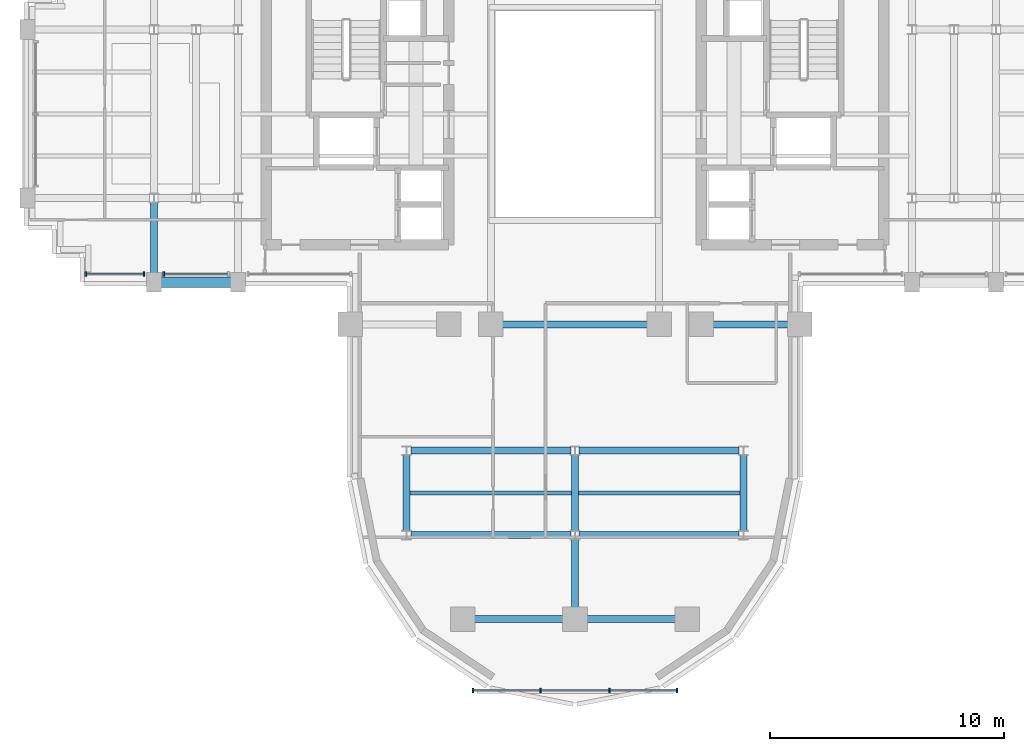
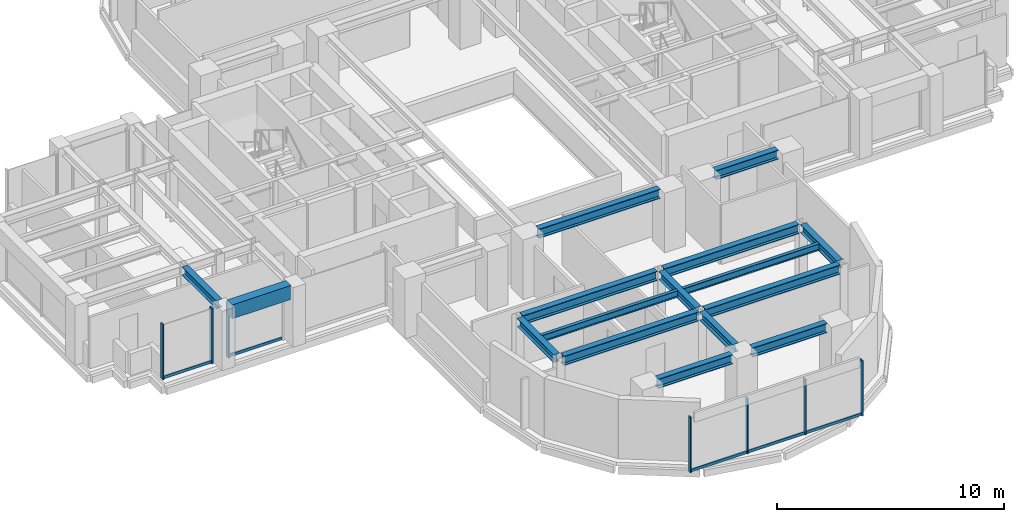
# One storey, part 3 of 14: 16 beams, 12 members, 3 elements without a shape of their own.
"""IFC4 building model written with IfcOpenShell, lengths in metres."""

from ifc_helpers import new_model, si_unit, direction, frame, origin, origin_2d, place, context, subcontext, project, spatial, rectangle, i_section, extrude, source, transform, mapped, material, material_profile, profile_set, type_object, element, aggregate, save


model = new_model("IFC4")

# Units and contexts
model_context = context("Model", 3, precision=1e-05, world=origin(), true_north=direction((0.0, 1.0)))
body_context = subcontext(model_context, "Body", "Model", "MODEL_VIEW")
ifc_project = project(units=[si_unit("LENGTHUNIT", "METRE"), si_unit("AREAUNIT", "SQUARE_METRE"), si_unit("VOLUMEUNIT", "CUBIC_METRE"), si_unit("PLANEANGLEUNIT", "RADIAN"), si_unit("MASSUNIT", "GRAM", prefix="KILO")], contexts=[model_context])

# Site, building, storey
site_placement = place(None, origin())
site = spatial("IfcSite", under=ifc_project, at=site_placement, CompositionType="ELEMENT")
building_placement = place(site_placement, origin())
building = spatial("IfcBuilding", under=site, at=building_placement, Name="Keilestroom Media Tower", CompositionType="ELEMENT")
storey_placement = place(building_placement, frame((0.0, 0.0, 110.800048828125)))
storey = spatial("IfcBuildingStorey", under=building, at=storey_placement, Name="L29", CompositionType="ELEMENT", Elevation=110.800048828125)

# Beams
ifc_material_1 = material(Name="Steel S355", Category="steel")
ifc_material_profile_1 = material_profile(ifc_material_1, i_section(OverallWidth=0.169921875, OverallDepth=0.360107421875, WebThickness=0.008056640625, FlangeThickness=0.0126953125, at=origin_2d()), Name="IPE 360")
ifc_profile_set_1 = profile_set([ifc_material_profile_1], Name="Steel S355")
beam_type_1 = type_object("IfcBeamType", Name="Secondary-Floor-Joist-IPE-360", PredefinedType="JOIST", material=ifc_profile_set_1)
shared_shape_1 = source(origin(), body_context, "Body", "SweptSolid", [
    extrude(i_section(OverallWidth=0.169921875, OverallDepth=0.360107421875, WebThickness=0.008056640625, FlangeThickness=0.0126953125, at=origin_2d()), origin(), (0.0, 0.0, 1.0), 6.940185546875),
])
for number, where, z_axis, x_axis, name in (
    (1, (-7.070068359375, -16.199951171875, 3.02001953125), (1.0, 0.0, 0.0), (0.0, 1.0, 0.0), "L29 Beam BJ-5 JST-L29-069"),
    (2, (0.1298828125, -16.199951171875, 3.02001953125), (1.0, 0.0, 0.0), (0.0, 1.0, 0.0), "L29 Beam BJ-5 JST-L29-070"),
):
    element("IfcBeam", number, at=place(storey_placement, frame(where, z_axis=z_axis, x_axis=x_axis)), inside=storey, type_object=beam_type_1, Name=name, PredefinedType="JOIST", context=body_context, shape_type="MappedRepresentation", body=[
        mapped(shared_shape_1, transform((0.0, 0.0, 0.0), x_axis=(1.0, 0.0, 0.0), y_axis=(0.0, 1.0, 0.0), z_axis=(0.0, 0.0, 1.0), scale=1.0)),
    ])
ifc_material_profile_2 = material_profile(ifc_material_1, i_section(OverallWidth=0.300048828125, OverallDepth=0.5, WebThickness=0.012451171875, FlangeThickness=0.028076171875, at=origin_2d()), Name="HEB 500")
ifc_profile_set_2 = profile_set([ifc_material_profile_2], Name="Steel S355")
beam_type_2 = type_object("IfcBeamType", Name="Primary-Structural-Girder-HEB-500", PredefinedType="BEAM", material=ifc_profile_set_2)
shared_shape_2 = source(origin(), body_context, "Body", "SweptSolid", [
    extrude(i_section(OverallWidth=0.300048828125, OverallDepth=0.5, WebThickness=0.012451171875, FlangeThickness=0.028076171875, at=origin_2d()), origin(), (0.0, 0.0, 1.0), 3.7900390625),
])
for number, where, z_axis, x_axis, name in (
    (3, (-4.294921875, -21.60009765625, 2.949951171875), (1.0, 0.0, 0.0), (0.0, 1.0, 0.0), "L29 Beam BG-6 BM-L29-EW-001"),
    (4, (0.5048828125, -21.60009765625, 2.949951171875), (1.0, 0.0, 0.0), (0.0, 1.0, 0.0), "L29 Beam BG-6 BM-L29-EW-002"),
):
    element("IfcBeam", number, at=place(storey_placement, frame(where, z_axis=z_axis, x_axis=x_axis)), inside=storey, type_object=beam_type_2, Name=name, PredefinedType="BEAM", context=body_context, shape_type="MappedRepresentation", body=[
        mapped(shared_shape_2, transform((0.0, 0.0, 0.0), x_axis=(1.0, 0.0, 0.0), y_axis=(0.0, 1.0, 0.0), z_axis=(0.0, 0.0, 1.0), scale=1.0)),
    ])
shared_shape_3 = source(origin(), body_context, "Body", "SweptSolid", [
    extrude(i_section(OverallWidth=0.300048828125, OverallDepth=0.5, WebThickness=0.012451171875, FlangeThickness=0.028076171875, at=origin_2d()), origin(), (0.0, 0.0, 1.0), 6.839111328125),
])
for number, where, z_axis, x_axis, name in (
    (5, (-7.01953125, -18.0, 2.949951171875), (1.0, 0.0, 0.0), (0.0, 1.0, 0.0), "L29 Beam BG-6 BM-L29-EW-003"),
    (6, (0.180419921875, -18.0, 2.949951171875), (1.0, 0.0, 0.0), (0.0, 1.0, 0.0), "L29 Beam BG-6 BM-L29-EW-004"),
    (7, (-7.01953125, -14.39990234375, 2.949951171875), (1.0, 0.0, 0.0), (0.0, 1.0, 0.0), "L29 Beam BG-6 BM-L29-EW-005"),
    (8, (0.180419921875, -14.39990234375, 2.949951171875), (1.0, 0.0, 0.0), (0.0, 1.0, 0.0), "L29 Beam BG-6 BM-L29-EW-006"),
):
    element("IfcBeam", number, at=place(storey_placement, frame(where, z_axis=z_axis, x_axis=x_axis)), inside=storey, type_object=beam_type_2, Name=name, PredefinedType="BEAM", context=body_context, shape_type="MappedRepresentation", body=[
        mapped(shared_shape_3, transform((0.0, 0.0, 0.0), x_axis=(1.0, 0.0, 0.0), y_axis=(0.0, 1.0, 0.0), z_axis=(0.0, 0.0, 1.0), scale=1.0)),
    ])
shared_shape_4 = source(origin(), body_context, "Body", "SweptSolid", [
    extrude(i_section(OverallWidth=0.300048828125, OverallDepth=0.5, WebThickness=0.012451171875, FlangeThickness=0.028076171875, at=origin_2d()), origin(), (0.0, 0.0, 1.0), 3.18994140625),
])
beam_1_placement = place(storey_placement, frame((5.905029296875, -9.0, 2.949951171875), z_axis=(1.0, 0.0, 0.0), x_axis=(0.0, 1.0, 0.0)))
element("IfcBeam", 9, at=beam_1_placement, inside=storey, type_object=beam_type_2, Name="L29 Beam BG-6 BM-L29-EW-011", PredefinedType="BEAM", context=body_context, shape_type="MappedRepresentation", body=[
    mapped(shared_shape_4, transform((0.0, 0.0, 0.0), x_axis=(1.0, 0.0, 0.0), y_axis=(0.0, 1.0, 0.0), z_axis=(0.0, 0.0, 1.0), scale=1.0)),
])
shared_shape_5 = source(origin(), body_context, "Body", "SweptSolid", [
    extrude(i_section(OverallWidth=0.300048828125, OverallDepth=0.5, WebThickness=0.012451171875, FlangeThickness=0.028076171875, at=origin_2d()), origin(), (0.0, 0.0, 1.0), 6.18994140625),
])
beam_2_placement = place(storey_placement, frame((-3.094970703125, -9.0, 2.949951171875), z_axis=(1.0, 0.0, 0.0), x_axis=(0.0, 1.0, 0.0)))
element("IfcBeam", 10, at=beam_2_placement, inside=storey, type_object=beam_type_2, Name="L29 Beam BG-6 BM-L29-EW-009", PredefinedType="BEAM", context=body_context, shape_type="MappedRepresentation", body=[
    mapped(shared_shape_5, transform((0.0, 0.0, 0.0), x_axis=(1.0, 0.0, 0.0), y_axis=(0.0, 1.0, 0.0), z_axis=(0.0, 0.0, 1.0), scale=1.0)),
])
ifc_material_2 = material(Name="Precast concrete C40/50", Category="concrete")
ifc_material_profile_3 = material_profile(ifc_material_2, rectangle(XDim=0.449951171875, YDim=0.75, at=origin_2d()), Name="PC 450x750")
ifc_profile_set_3 = profile_set([ifc_material_profile_3], Name="Precast concrete C40/50")
beam_type_3 = type_object("IfcBeamType", Name="Perimeter-Spandrel-Beam-PC-450x750", PredefinedType="SPANDREL", material=ifc_profile_set_3)
shared_shape_6 = source(origin(), body_context, "Body", "SweptSolid", [
    extrude(rectangle(XDim=0.449951171875, YDim=0.75, at=origin_2d()), origin(), (0.0, 0.0, 1.0), 2.989990234375),
])
beam_3_placement = place(storey_placement, frame((-17.695068359375, -7.199951171875, 2.824951171875), z_axis=(1.0, 0.0, 0.0), x_axis=(0.0, 1.0, 0.0)))
element("IfcBeam", 11, at=beam_3_placement, inside=storey, type_object=beam_type_3, Name="L29 Beam SPB-1 BM-L29-EW-012", PredefinedType="SPANDREL", context=body_context, shape_type="MappedRepresentation", body=[
    mapped(shared_shape_6, transform((0.0, 0.0, 0.0), x_axis=(1.0, 0.0, 0.0), y_axis=(0.0, 1.0, 0.0), z_axis=(0.0, 0.0, 1.0), scale=1.0)),
])
ifc_material_profile_4 = material_profile(ifc_material_1, i_section(OverallWidth=0.300048828125, OverallDepth=0.43994140625, WebThickness=0.011474609375, FlangeThickness=0.02099609375, at=origin_2d()), Name="HEA 450")
ifc_profile_set_4 = profile_set([ifc_material_profile_4], Name="Steel S355")
beam_type_4 = type_object("IfcBeamType", Name="Primary-Structural-Girder-HEA-450", PredefinedType="BEAM", material=ifc_profile_set_4)
shared_shape_7 = source(origin(), body_context, "Body", "SweptSolid", [
    extrude(i_section(OverallWidth=0.300048828125, OverallDepth=0.43994140625, WebThickness=0.011474609375, FlangeThickness=0.02099609375, at=origin_2d()), origin(), (0.0, 0.0, 1.0), 3.015380859375),
])
beam_4_placement = place(storey_placement, frame((-18.0, -6.794921875, 2.97998046875), z_axis=(0.0, 1.0, 0.0), x_axis=(-1.0, 0.0, 0.0)))
element("IfcBeam", 12, at=beam_4_placement, inside=storey, type_object=beam_type_4, Name="L29 Beam BG-11 BM-L29-NS-040", PredefinedType="BEAM", context=body_context, shape_type="MappedRepresentation", body=[
    mapped(shared_shape_7, transform((0.0, 0.0, 0.0), x_axis=(1.0, 0.0, 0.0), y_axis=(0.0, 1.0, 0.0), z_axis=(0.0, 0.0, 1.0), scale=1.0)),
])
shared_shape_8 = source(origin(), body_context, "Body", "SweptSolid", [
    extrude(i_section(OverallWidth=0.300048828125, OverallDepth=0.43994140625, WebThickness=0.011474609375, FlangeThickness=0.02099609375, at=origin_2d()), origin(), (0.0, 0.0, 1.0), 3.240966796875),
])
for number, where, z_axis, x_axis, name in (
    (13, (-7.199951171875, -17.820556640625, 2.97998046875), (0.0, 1.0, 0.0), (-1.0, 0.0, 0.0), "L29 Beam BG-11 BM-L29-NS-048"),
    (14, (0.0, -17.820556640625, 2.97998046875), (0.0, 1.0, 0.0), (-1.0, 0.0, 0.0), "L29 Beam BG-11 BM-L29-NS-053"),
    (15, (7.199951171875, -17.820556640625, 2.97998046875), (0.0, 1.0, 0.0), (-1.0, 0.0, 0.0), "L29 Beam BG-11 BM-L29-NS-058"),
):
    element("IfcBeam", number, at=place(storey_placement, frame(where, z_axis=z_axis, x_axis=x_axis)), inside=storey, type_object=beam_type_4, Name=name, PredefinedType="BEAM", context=body_context, shape_type="MappedRepresentation", body=[
        mapped(shared_shape_8, transform((0.0, 0.0, 0.0), x_axis=(1.0, 0.0, 0.0), y_axis=(0.0, 1.0, 0.0), z_axis=(0.0, 0.0, 1.0), scale=1.0)),
    ])
shared_shape_9 = source(origin(), body_context, "Body", "SweptSolid", [
    extrude(i_section(OverallWidth=0.300048828125, OverallDepth=0.43994140625, WebThickness=0.011474609375, FlangeThickness=0.02099609375, at=origin_2d()), origin(), (0.0, 0.0, 1.0), 2.91552734375),
])
beam_5_placement = place(storey_placement, frame((0.0, -21.094970703125, 2.97998046875), z_axis=(0.0, 1.0, 0.0), x_axis=(-1.0, 0.0, 0.0)))
element("IfcBeam", 16, at=beam_5_placement, inside=storey, type_object=beam_type_4, Name="L29 Beam BG-11 BM-L29-NS-052", PredefinedType="BEAM", context=body_context, shape_type="MappedRepresentation", body=[
    mapped(shared_shape_9, transform((0.0, 0.0, 0.0), x_axis=(1.0, 0.0, 0.0), y_axis=(0.0, 1.0, 0.0), z_axis=(0.0, 0.0, 1.0), scale=1.0)),
])

# Curtain wall, members
ifc_material_3 = material(Name="Anodised Aluminium Alloy", Category="aluminium")
curtain_wall_type_1 = type_object("IfcCurtainWallType", Name="Unitised-Curtain-Wall-CW-6", PredefinedType="NOTDEFINED", material=ifc_material_3)
curtain_wall_1_placement = place(storey_placement, origin())
curtain_wall_1 = element("IfcCurtainWall", 17, at=curtain_wall_1_placement, inside=storey, type_object=curtain_wall_type_1, Name="L29 Curtain Wall CW-6 CW-L29-LS-1", PredefinedType="NOTDEFINED")
ifc_material_profile_5 = material_profile(ifc_material_3, rectangle(XDim=0.06494140625, YDim=0.179931640625, at=origin_2d()), Name="ALU MULLION 65x180")
ifc_profile_set_5 = profile_set([ifc_material_profile_5], Name="Anodised Aluminium Alloy")
member_type_1 = type_object("IfcMemberType", Name="Curtain-Wall-Mullion-CW-6", PredefinedType="MULLION", material=ifc_profile_set_5)
shared_shape_10 = source(origin(), body_context, "Body", "SweptSolid", [
    extrude(rectangle(XDim=0.06494140625, YDim=0.179931640625, at=origin_2d()), origin(), (0.0, 0.0, 1.0), 2.97998046875),
])
member_1_placement = place(storey_placement, frame((-4.367431640625, -24.64990234375, 0.0), z_axis=(0.0, 0.0, 1.0), x_axis=(1.0, 0.0, 0.0)))
member_1 = element("IfcMember", 18, at=member_1_placement, type_object=member_type_1, Name="CW-6 Mullion 00", PredefinedType="MULLION", context=body_context, shape_type="MappedRepresentation", body=[
    mapped(shared_shape_10, transform((0.0, 0.0, 0.0), x_axis=(1.0, 0.0, 0.0), y_axis=(0.0, 1.0, 0.0), z_axis=(0.0, 0.0, 1.0), scale=1.0)),
])
member_2_placement = place(storey_placement, frame((-1.466796875, -24.64990234375, 0.0), z_axis=(0.0, 0.0, 1.0), x_axis=(1.0, 0.0, 0.0)))
member_2 = element("IfcMember", 19, at=member_2_placement, type_object=member_type_1, Name="CW-6 Mullion 01", PredefinedType="MULLION", context=body_context, shape_type="MappedRepresentation", body=[
    mapped(shared_shape_10, transform((0.0, 0.0, 0.0), x_axis=(1.0, 0.0, 0.0), y_axis=(0.0, 1.0, 0.0), z_axis=(0.0, 0.0, 1.0), scale=1.0)),
])
member_3_placement = place(storey_placement, frame((1.466796875, -24.64990234375, 0.0), z_axis=(0.0, 0.0, 1.0), x_axis=(1.0, 0.0, 0.0)))
member_3 = element("IfcMember", 20, at=member_3_placement, type_object=member_type_1, Name="CW-6 Mullion 02", PredefinedType="MULLION", context=body_context, shape_type="MappedRepresentation", body=[
    mapped(shared_shape_10, transform((0.0, 0.0, 0.0), x_axis=(1.0, 0.0, 0.0), y_axis=(0.0, 1.0, 0.0), z_axis=(0.0, 0.0, 1.0), scale=1.0)),
])
member_4_placement = place(storey_placement, frame((4.367431640625, -24.64990234375, 0.0), z_axis=(0.0, 0.0, 1.0), x_axis=(1.0, 0.0, 0.0)))
member_4 = element("IfcMember", 21, at=member_4_placement, type_object=member_type_1, Name="CW-6 Mullion 03", PredefinedType="MULLION", context=body_context, shape_type="MappedRepresentation", body=[
    mapped(shared_shape_10, transform((0.0, 0.0, 0.0), x_axis=(1.0, 0.0, 0.0), y_axis=(0.0, 1.0, 0.0), z_axis=(0.0, 0.0, 1.0), scale=1.0)),
])
ifc_material_profile_6 = material_profile(ifc_material_3, rectangle(XDim=0.06494140625, YDim=0.14990234375, at=origin_2d()), Name="ALU TRANSOM 65x150")
ifc_profile_set_6 = profile_set([ifc_material_profile_6], Name="Anodised Aluminium Alloy")
member_type_2 = type_object("IfcMemberType", Name="Curtain-Wall-Transom-CW-6", PredefinedType="USERDEFINED", material=ifc_profile_set_6)
shared_shape_11 = source(origin(), body_context, "Body", "SweptSolid", [
    extrude(rectangle(XDim=0.06494140625, YDim=0.14990234375, at=origin_2d()), origin(), (0.0, 0.0, 1.0), 2.839599609375),
])
member_5_placement = place(storey_placement, frame((-4.3369140625, -24.64990234375, 0.074951171875), z_axis=(1.0, 0.0, 0.0), x_axis=(0.0, 1.0, 0.0)))
member_5 = element("IfcMember", 22, at=member_5_placement, type_object=member_type_2, Name="CW-6 Transom 00.1", ObjectType="TRANSOM", PredefinedType="USERDEFINED", context=body_context, shape_type="MappedRepresentation", body=[
    mapped(shared_shape_11, transform((0.0, 0.0, 0.0), x_axis=(1.0, 0.0, 0.0), y_axis=(0.0, 1.0, 0.0), z_axis=(0.0, 0.0, 1.0), scale=1.0)),
])
member_6_placement = place(storey_placement, frame((1.497314453125, -24.64990234375, 0.074951171875), z_axis=(1.0, 0.0, 0.0), x_axis=(0.0, 1.0, 0.0)))
member_6 = element("IfcMember", 23, at=member_6_placement, type_object=member_type_2, Name="CW-6 Transom 02.1", ObjectType="TRANSOM", PredefinedType="USERDEFINED", context=body_context, shape_type="MappedRepresentation", body=[
    mapped(shared_shape_11, transform((0.0, 0.0, 0.0), x_axis=(1.0, 0.0, 0.0), y_axis=(0.0, 1.0, 0.0), z_axis=(0.0, 0.0, 1.0), scale=1.0)),
])
shared_shape_12 = source(origin(), body_context, "Body", "SweptSolid", [
    extrude(rectangle(XDim=0.06494140625, YDim=0.14990234375, at=origin_2d()), origin(), (0.0, 0.0, 1.0), 2.87255859375),
])
member_7_placement = place(storey_placement, frame((-1.436279296875, -24.64990234375, 0.074951171875), z_axis=(1.0, 0.0, 0.0), x_axis=(0.0, 1.0, 0.0)))
member_7 = element("IfcMember", 24, at=member_7_placement, type_object=member_type_2, Name="CW-6 Transom 01.1", ObjectType="TRANSOM", PredefinedType="USERDEFINED", context=body_context, shape_type="MappedRepresentation", body=[
    mapped(shared_shape_12, transform((0.0, 0.0, 0.0), x_axis=(1.0, 0.0, 0.0), y_axis=(0.0, 1.0, 0.0), z_axis=(0.0, 0.0, 1.0), scale=1.0)),
])
aggregate(curtain_wall_1, [member_1, member_2, member_3, member_4, member_5, member_7, member_6])

curtain_wall_type_2 = type_object("IfcCurtainWallType", Name="Unitised-Curtain-Wall-CW-2", PredefinedType="NOTDEFINED", material=ifc_material_3)
curtain_wall_2_placement = place(storey_placement, origin())
curtain_wall_2 = element("IfcCurtainWall", 25, at=curtain_wall_2_placement, inside=storey, type_object=curtain_wall_type_2, Name="L29 Curtain Wall CW-2 CW-L29-SW-1", PredefinedType="NOTDEFINED")
ifc_material_profile_7 = material_profile(ifc_material_3, rectangle(XDim=0.070068359375, YDim=0.199951171875, at=origin_2d()), Name="ALU MULLION 70x200")
ifc_profile_set_7 = profile_set([ifc_material_profile_7], Name="Anodised Aluminium Alloy")
member_type_3 = type_object("IfcMemberType", Name="Curtain-Wall-Mullion-CW-2", PredefinedType="MULLION", material=ifc_profile_set_7)
shared_shape_13 = source(origin(), body_context, "Body", "SweptSolid", [
    extrude(rectangle(XDim=0.070068359375, YDim=0.199951171875, at=origin_2d()), origin(), (0.0, 0.0, 1.0), 2.97998046875),
])
member_8_placement = place(storey_placement, frame((-20.9150390625, -6.85009765625, 0.0), z_axis=(0.0, 0.0, 1.0), x_axis=(1.0, 0.0, 0.0)))
member_8 = element("IfcMember", 26, at=member_8_placement, type_object=member_type_3, Name="CW-2 Mullion 00", PredefinedType="MULLION", context=body_context, shape_type="MappedRepresentation", body=[
    mapped(shared_shape_13, transform((0.0, 0.0, 0.0), x_axis=(1.0, 0.0, 0.0), y_axis=(0.0, 1.0, 0.0), z_axis=(0.0, 0.0, 1.0), scale=1.0)),
])
member_9_placement = place(storey_placement, frame((-18.419921875, -6.85009765625, 0.0), z_axis=(0.0, 0.0, 1.0), x_axis=(1.0, 0.0, 0.0)))
member_9 = element("IfcMember", 27, at=member_9_placement, type_object=member_type_3, Name="CW-2 Mullion 01", PredefinedType="MULLION", context=body_context, shape_type="MappedRepresentation", body=[
    mapped(shared_shape_13, transform((0.0, 0.0, 0.0), x_axis=(1.0, 0.0, 0.0), y_axis=(0.0, 1.0, 0.0), z_axis=(0.0, 0.0, 1.0), scale=1.0)),
])

# Curtain wall, member
curtain_wall_3_placement = place(storey_placement, origin())
curtain_wall_3 = element("IfcCurtainWall", 28, at=curtain_wall_3_placement, inside=storey, type_object=curtain_wall_type_2, Name="L29 Curtain Wall CW-2 CW-L29-SW-2", PredefinedType="NOTDEFINED")
member_10_placement = place(storey_placement, frame((-17.580078125, -6.85009765625, 0.0), z_axis=(0.0, 0.0, 1.0), x_axis=(1.0, 0.0, 0.0)))
member_10 = element("IfcMember", 29, at=member_10_placement, type_object=member_type_3, Name="CW-2 Mullion 00", PredefinedType="MULLION", context=body_context, shape_type="MappedRepresentation", body=[
    mapped(shared_shape_13, transform((0.0, 0.0, 0.0), x_axis=(1.0, 0.0, 0.0), y_axis=(0.0, 1.0, 0.0), z_axis=(0.0, 0.0, 1.0), scale=1.0)),
])

# Member
ifc_material_profile_8 = material_profile(ifc_material_3, rectangle(XDim=0.06494140625, YDim=0.14990234375, at=origin_2d()), Name="ALU TRANSOM 65x150")
ifc_profile_set_8 = profile_set([ifc_material_profile_8], Name="Anodised Aluminium Alloy")
member_type_4 = type_object("IfcMemberType", Name="Curtain-Wall-Transom-CW-2", PredefinedType="USERDEFINED", material=ifc_profile_set_8)
shared_shape_14 = source(origin(), body_context, "Body", "SweptSolid", [
    extrude(rectangle(XDim=0.06494140625, YDim=0.14990234375, at=origin_2d()), origin(), (0.0, 0.0, 1.0), 2.42919921875),
])
member_11_placement = place(storey_placement, frame((-20.882080078125, -6.85009765625, 0.074951171875), z_axis=(1.0, 0.0, 0.0), x_axis=(0.0, 1.0, 0.0)))
member_11 = element("IfcMember", 30, at=member_11_placement, type_object=member_type_4, Name="CW-2 Transom 00.1", ObjectType="TRANSOM", PredefinedType="USERDEFINED", context=body_context, shape_type="MappedRepresentation", body=[
    mapped(shared_shape_14, transform((0.0, 0.0, 0.0), x_axis=(1.0, 0.0, 0.0), y_axis=(0.0, 1.0, 0.0), z_axis=(0.0, 0.0, 1.0), scale=1.0)),
])

aggregate(curtain_wall_2, [member_8, member_9, member_11])

shared_shape_15 = source(origin(), body_context, "Body", "SweptSolid", [
    extrude(rectangle(XDim=0.06494140625, YDim=0.14990234375, at=origin_2d()), origin(), (0.0, 0.0, 1.0), 2.694091796875),
])
member_12_placement = place(storey_placement, frame((-17.547119140625, -6.85009765625, 0.074951171875), z_axis=(1.0, 0.0, 0.0), x_axis=(0.0, 1.0, 0.0)))
member_12 = element("IfcMember", 31, at=member_12_placement, type_object=member_type_4, Name="CW-2 Transom 00.1", ObjectType="TRANSOM", PredefinedType="USERDEFINED", context=body_context, shape_type="MappedRepresentation", body=[
    mapped(shared_shape_15, transform((0.0, 0.0, 0.0), x_axis=(1.0, 0.0, 0.0), y_axis=(0.0, 1.0, 0.0), z_axis=(0.0, 0.0, 1.0), scale=1.0)),
])

aggregate(curtain_wall_3, [member_10, member_12])

save(model, "model.ifc")
